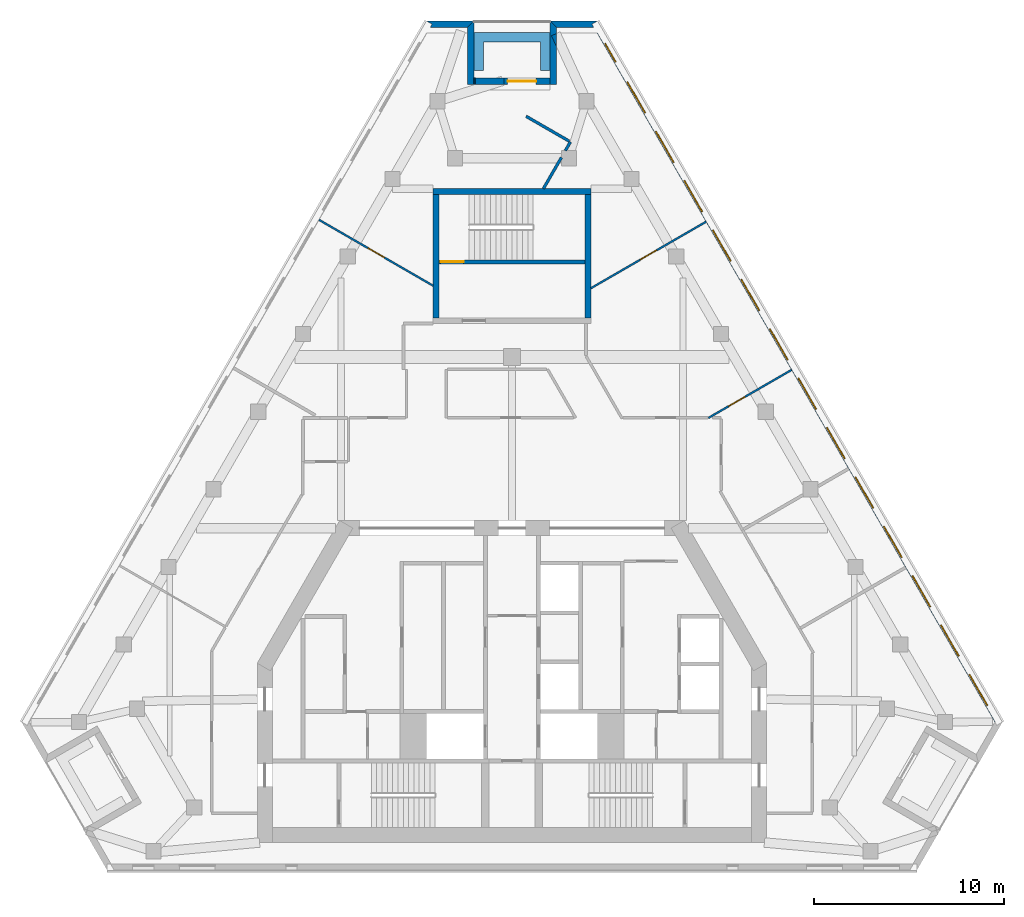
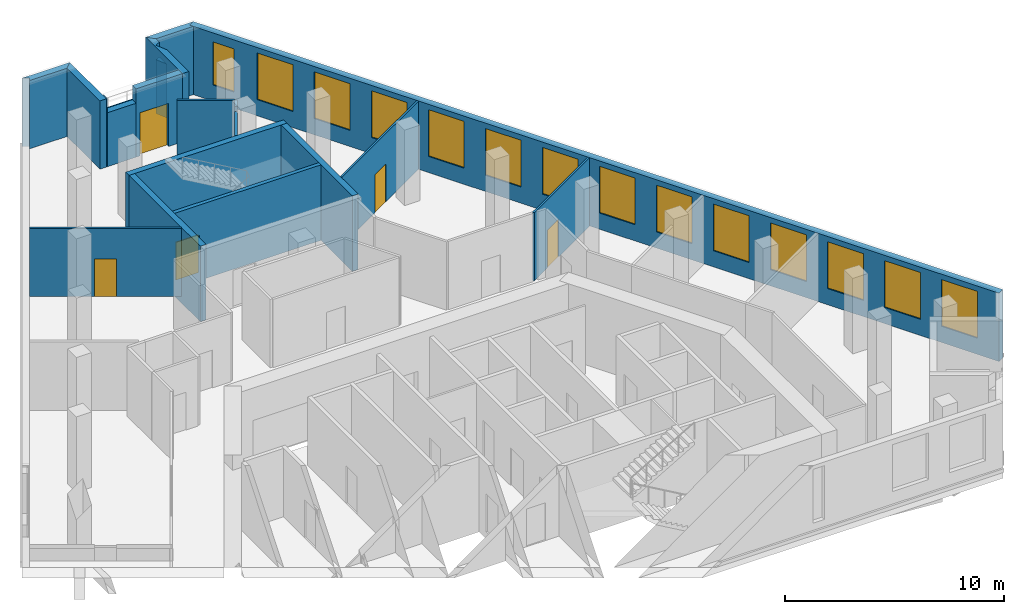
# One storey, part 6 of 8: 20 walls, 14 windows, 5 doors, 19 openings.
"""IFC4 building model written with IfcOpenShell, lengths in metres."""

from ifc_helpers import new_model, si_unit, direction, frame, frame_2d, origin, place, context, subcontext, project, spatial, polyline, rectangle, outline, extrude, material, layer, layer_set, type_object, element, fill, save


model = new_model("IFC4")

# Units and contexts
model_context = context("Model", 3, precision=1e-05, world=origin(), true_north=direction((0.0, 1.0)))
body_context = subcontext(model_context, "Body", "Model", "MODEL_VIEW")
ifc_project = project(units=[si_unit("LENGTHUNIT", "METRE"), si_unit("AREAUNIT", "SQUARE_METRE"), si_unit("VOLUMEUNIT", "CUBIC_METRE"), si_unit("PLANEANGLEUNIT", "RADIAN"), si_unit("MASSUNIT", "GRAM", prefix="KILO")], contexts=[model_context])

# Site, building, storey
site_placement = place(None, origin())
site = spatial("IfcSite", under=ifc_project, at=site_placement, CompositionType="ELEMENT")
building_placement = place(site_placement, origin())
building = spatial("IfcBuilding", under=site, at=building_placement, Name="Fogline Exchange Tower", CompositionType="ELEMENT")
storey_placement = place(building_placement, frame((0.0, 0.0, 275.10009765625)))
storey = spatial("IfcBuildingStorey", under=building, at=storey_placement, Name="L62", CompositionType="ELEMENT", Elevation=275.10009765625)

# Wall, opening, door
ifc_material_1 = material(Name="Concrete C40", Category="concrete")
ifc_layer_1 = layer(ifc_material_1, 0.199951171875)
ifc_layer_set_1 = layer_set([ifc_layer_1], Name="CW20R")
wall_type_1 = type_object("IfcWallType", Name="CW20R", PredefinedType="SOLIDWALL", material=ifc_layer_set_1)
wall_1_placement = place(storey_placement, frame((-3.85009765625, 32.007080078125, -0.400146484375), z_axis=(0.0, 0.0, 1.0), x_axis=(1.0, 0.0, 0.0)))
wall_1 = element("IfcWall", 1, at=wall_1_placement, inside=storey, type_object=wall_type_1, Name="Stair enclosure wall ST3", PredefinedType="SOLIDWALL", context=body_context, shape_type="SweptSolid", body=[
    extrude(rectangle(XDim=7.7001953125, YDim=0.199951171875, at=frame_2d((3.85009765625, 0.0))), origin(), (0.0, 0.0, 1.0), 4.199951171875),
])
opening_1_placement = place(wall_1_placement, frame((0.10009765625, 0.0, 0.39990234375)))
opening_1 = element("IfcOpeningElement", 2, at=opening_1_placement, cuts=wall_1, Name="Opening T19-C023", PredefinedType="OPENING", context=body_context, shape_type="SweptSolid", body=[
    extrude(rectangle(XDim=1.199951171875, YDim=2.10009765625, at=frame_2d((0.60009765625, 1.050048828125))), frame((0.0, 0.10986328125, 0.0), z_axis=(0.0, -1.0, 0.0), x_axis=(1.0, 0.0, 0.0)), (0.0, 0.0, 1.0), 0.219970703125),
])
ifc_material_2 = material(Name="Steel and timber fire door", Category="steel")
door_type_1 = type_object("IfcDoorType", Name="D-ST1", OperationType="SINGLE_SWING_LEFT", PredefinedType="DOOR", material=ifc_material_2)
door_1_placement = place(opening_1_placement, origin())
door_1 = element("IfcDoor", 3, at=door_1_placement, inside=storey, type_object=door_type_1, Name="Stair door ST3", OperationType="SINGLE_SWING_LEFT", OverallHeight=2.10009765625, OverallWidth=1.199951171875, PredefinedType="DOOR", context=body_context, shape_type="SweptSolid", body=[
    extrude(rectangle(XDim=1.199951171875, YDim=2.10009765625, at=frame_2d((0.60009765625, 1.050048828125))), frame((0.0, 0.02490234375, 0.0), z_axis=(0.0, -1.0, 0.0), x_axis=(1.0, 0.0, 0.0)), (0.0, 0.0, 1.0), 0.050048828125),
])
fill(opening_1, door_1)

# Walls
ifc_layer_2 = layer(ifc_material_1, 0.300048828125)
ifc_layer_set_2 = layer_set([ifc_layer_2], Name="CW30")
wall_type_2 = type_object("IfcWallType", Name="CW30", PredefinedType="SOLIDWALL", material=ifc_layer_set_2)
wall_2_placement = place(storey_placement, frame((-4.14990234375, 35.70703125, -0.400146484375), z_axis=(0.0, 0.0, 1.0), x_axis=(1.0, 0.0, 0.0)))
element("IfcWall", 4, at=wall_2_placement, inside=storey, type_object=wall_type_2, Name="Stair enclosure wall ST3", PredefinedType="SOLIDWALL", context=body_context, shape_type="SweptSolid", body=[
    extrude(rectangle(XDim=8.2998046875, YDim=0.300048828125, at=frame_2d((4.14990234375, 0.0))), origin(), (0.0, 0.0, 1.0), 4.199951171875),
])
for number, where, z_axis, x_axis, name in (
    (5, (-4.0, 29.056884765625, -0.400146484375), (0.0, 0.0, 1.0), (0.0, 1.0, 0.0), "Stair enclosure wall ST3"),
    (6, (4.0, 29.056884765625, -0.400146484375), (0.0, 0.0, 1.0), (0.0, 1.0, 0.0), "Stair enclosure wall ST3"),
):
    element("IfcWall", number, at=place(storey_placement, frame(where, z_axis=z_axis, x_axis=x_axis)), inside=storey, type_object=wall_type_2, Name=name, PredefinedType="SOLIDWALL", context=body_context, shape_type="SweptSolid", body=[
        extrude(rectangle(XDim=6.5, YDim=0.300048828125, at=frame_2d((3.25, 0.0))), origin(), (0.0, 0.0, 1.0), 4.199951171875),
    ])

# Wall, openings, windows
ifc_material_3 = material(Name="Brick masonry", Category="masonry")
ifc_layer_3 = layer(ifc_material_3, 0.340087890625)
ifc_layer_set_3 = layer_set([ifc_layer_3], Name="FW1")
wall_type_3 = type_object("IfcWallType", Name="FW1", PredefinedType="SOLIDWALL", material=ifc_layer_set_3)
wall_3_placement = place(storey_placement, frame((25.649658203125, 7.709228515625, 0.0), z_axis=(0.0, 0.0, 1.0), x_axis=(-0.499998153541, 0.866026469835, 0.0)))
wall_3 = element("IfcWall", 7, at=wall_3_placement, inside=storey, type_object=wall_type_3, Name="Brick wall L62 E", PredefinedType="SOLIDWALL", context=body_context, shape_type="SweptSolid", body=[
    extrude(rectangle(XDim=42.593994140625, YDim=0.340087890625, at=frame_2d((21.296875, 0.0))), origin(), (0.0, 0.0, 1.0), 3.7998046875),
])
opening_2_placement = place(wall_3_placement, frame((1.1484375, 0.0, 0.89990234375)))
opening_2 = element("IfcOpeningElement", 8, at=opening_2_placement, cuts=wall_3, Name="Opening W3", PredefinedType="OPENING", context=body_context, shape_type="SweptSolid", body=[
    extrude(rectangle(XDim=1.885009765625, YDim=2.60009765625, at=frame_2d((0.9423828125, 1.300048828125))), frame((0.0, 0.18017578125, 0.0), z_axis=(0.0, -1.0, 0.0), x_axis=(1.0, 0.0, 0.0)), (0.0, 0.0, 1.0), 0.360107421875),
])
opening_3_placement = place(wall_3_placement, frame((4.1484375, 0.0, 0.89990234375)))
opening_3 = element("IfcOpeningElement", 9, at=opening_3_placement, cuts=wall_3, Name="Opening W3", PredefinedType="OPENING", context=body_context, shape_type="SweptSolid", body=[
    extrude(rectangle(XDim=1.885009765625, YDim=2.60009765625, at=frame_2d((0.9423828125, 1.300048828125))), frame((0.0, 0.18017578125, 0.0), z_axis=(0.0, -1.0, 0.0), x_axis=(1.0, 0.0, 0.0)), (0.0, 0.0, 1.0), 0.360107421875),
])
opening_4_placement = place(wall_3_placement, frame((7.1484375, 0.0, 0.89990234375)))
opening_4 = element("IfcOpeningElement", 10, at=opening_4_placement, cuts=wall_3, Name="Opening W3", PredefinedType="OPENING", context=body_context, shape_type="SweptSolid", body=[
    extrude(rectangle(XDim=1.885009765625, YDim=2.60009765625, at=frame_2d((0.9423828125, 1.300048828125))), frame((0.0, 0.18017578125, 0.0), z_axis=(0.0, -1.0, 0.0), x_axis=(1.0, 0.0, 0.0)), (0.0, 0.0, 1.0), 0.360107421875),
])
opening_5_placement = place(wall_3_placement, frame((10.1484375, 0.0, 0.89990234375)))
opening_5 = element("IfcOpeningElement", 11, at=opening_5_placement, cuts=wall_3, Name="Opening W3", PredefinedType="OPENING", context=body_context, shape_type="SweptSolid", body=[
    extrude(rectangle(XDim=1.885009765625, YDim=2.60009765625, at=frame_2d((0.9423828125, 1.300048828125))), frame((0.0, 0.18017578125, 0.0), z_axis=(0.0, -1.0, 0.0), x_axis=(1.0, 0.0, 0.0)), (0.0, 0.0, 1.0), 0.360107421875),
])
opening_6_placement = place(wall_3_placement, frame((13.1484375, 0.0, 0.89990234375)))
opening_6 = element("IfcOpeningElement", 12, at=opening_6_placement, cuts=wall_3, Name="Opening W3", PredefinedType="OPENING", context=body_context, shape_type="SweptSolid", body=[
    extrude(rectangle(XDim=1.885009765625, YDim=2.60009765625, at=frame_2d((0.9423828125, 1.300048828125))), frame((0.0, 0.18017578125, 0.0), z_axis=(0.0, -1.0, 0.0), x_axis=(1.0, 0.0, 0.0)), (0.0, 0.0, 1.0), 0.360107421875),
])
opening_7_placement = place(wall_3_placement, frame((16.1484375, 0.0, 0.89990234375)))
opening_7 = element("IfcOpeningElement", 13, at=opening_7_placement, cuts=wall_3, Name="Opening W3", PredefinedType="OPENING", context=body_context, shape_type="SweptSolid", body=[
    extrude(rectangle(XDim=1.885009765625, YDim=2.60009765625, at=frame_2d((0.9423828125, 1.300048828125))), frame((0.0, 0.18017578125, 0.0), z_axis=(0.0, -1.0, 0.0), x_axis=(1.0, 0.0, 0.0)), (0.0, 0.0, 1.0), 0.360107421875),
])
opening_8_placement = place(wall_3_placement, frame((19.1484375, 0.0, 0.89990234375)))
opening_8 = element("IfcOpeningElement", 14, at=opening_8_placement, cuts=wall_3, Name="Opening W3", PredefinedType="OPENING", context=body_context, shape_type="SweptSolid", body=[
    extrude(rectangle(XDim=1.885009765625, YDim=2.60009765625, at=frame_2d((0.9423828125, 1.300048828125))), frame((0.0, 0.18017578125, 0.0), z_axis=(0.0, -1.0, 0.0), x_axis=(1.0, 0.0, 0.0)), (0.0, 0.0, 1.0), 0.360107421875),
])
opening_9_placement = place(wall_3_placement, frame((22.1484375, 0.0, 0.89990234375)))
opening_9 = element("IfcOpeningElement", 15, at=opening_9_placement, cuts=wall_3, Name="Opening W3", PredefinedType="OPENING", context=body_context, shape_type="SweptSolid", body=[
    extrude(rectangle(XDim=1.885009765625, YDim=2.60009765625, at=frame_2d((0.9423828125, 1.300048828125))), frame((0.0, 0.18017578125, 0.0), z_axis=(0.0, -1.0, 0.0), x_axis=(1.0, 0.0, 0.0)), (0.0, 0.0, 1.0), 0.360107421875),
])
opening_10_placement = place(wall_3_placement, frame((25.1484375, 0.0, 0.89990234375)))
opening_10 = element("IfcOpeningElement", 16, at=opening_10_placement, cuts=wall_3, Name="Opening W3", PredefinedType="OPENING", context=body_context, shape_type="SweptSolid", body=[
    extrude(rectangle(XDim=1.885009765625, YDim=2.60009765625, at=frame_2d((0.9423828125, 1.300048828125))), frame((0.0, 0.18017578125, 0.0), z_axis=(0.0, -1.0, 0.0), x_axis=(1.0, 0.0, 0.0)), (0.0, 0.0, 1.0), 0.360107421875),
])
opening_11_placement = place(wall_3_placement, frame((28.1484375, 0.0, 0.89990234375)))
opening_11 = element("IfcOpeningElement", 17, at=opening_11_placement, cuts=wall_3, Name="Opening W3", PredefinedType="OPENING", context=body_context, shape_type="SweptSolid", body=[
    extrude(rectangle(XDim=1.885009765625, YDim=2.60009765625, at=frame_2d((0.9423828125, 1.300048828125))), frame((0.0, 0.18017578125, 0.0), z_axis=(0.0, -1.0, 0.0), x_axis=(1.0, 0.0, 0.0)), (0.0, 0.0, 1.0), 0.360107421875),
])
opening_12_placement = place(wall_3_placement, frame((31.1484375, 0.0, 0.89990234375)))
opening_12 = element("IfcOpeningElement", 18, at=opening_12_placement, cuts=wall_3, Name="Opening W3", PredefinedType="OPENING", context=body_context, shape_type="SweptSolid", body=[
    extrude(rectangle(XDim=1.885009765625, YDim=2.60009765625, at=frame_2d((0.9423828125, 1.300048828125))), frame((0.0, 0.18017578125, 0.0), z_axis=(0.0, -1.0, 0.0), x_axis=(1.0, 0.0, 0.0)), (0.0, 0.0, 1.0), 0.360107421875),
])
opening_13_placement = place(wall_3_placement, frame((34.1484375, 0.0, 0.89990234375)))
opening_13 = element("IfcOpeningElement", 19, at=opening_13_placement, cuts=wall_3, Name="Opening W3", PredefinedType="OPENING", context=body_context, shape_type="SweptSolid", body=[
    extrude(rectangle(XDim=1.885009765625, YDim=2.60009765625, at=frame_2d((0.9423828125, 1.300048828125))), frame((0.0, 0.18017578125, 0.0), z_axis=(0.0, -1.0, 0.0), x_axis=(1.0, 0.0, 0.0)), (0.0, 0.0, 1.0), 0.360107421875),
])
opening_14_placement = place(wall_3_placement, frame((37.1484375, 0.0, 0.89990234375)))
opening_14 = element("IfcOpeningElement", 20, at=opening_14_placement, cuts=wall_3, Name="Opening W3", PredefinedType="OPENING", context=body_context, shape_type="SweptSolid", body=[
    extrude(rectangle(XDim=1.885009765625, YDim=2.60009765625, at=frame_2d((0.9423828125, 1.300048828125))), frame((0.0, 0.18017578125, 0.0), z_axis=(0.0, -1.0, 0.0), x_axis=(1.0, 0.0, 0.0)), (0.0, 0.0, 1.0), 0.360107421875),
])
opening_15_placement = place(wall_3_placement, frame((40.256103515625, 0.0, 0.89990234375)))
opening_15 = element("IfcOpeningElement", 21, at=opening_15_placement, cuts=wall_3, Name="Opening W4", PredefinedType="OPENING", context=body_context, shape_type="SweptSolid", body=[
    extrude(rectangle(XDim=1.114990234375, YDim=2.39990234375, at=frame_2d((0.5576171875, 1.199951171875))), frame((0.0, 0.18017578125, 0.0), z_axis=(0.0, -1.0, 0.0), x_axis=(1.0, 0.0, 0.0)), (0.0, 0.0, 1.0), 0.360107421875),
])
ifc_material_4 = material(Name="Aluminium and glass", Category="aluminium")
window_type_1 = type_object("IfcWindowType", Name="W3", PartitioningType="SINGLE_PANEL", PredefinedType="WINDOW", material=ifc_material_4)
window_1_placement = place(opening_2_placement, origin())
window_1 = element("IfcWindow", 22, at=window_1_placement, inside=storey, type_object=window_type_1, Name="W3 W3", OverallHeight=2.60009765625, OverallWidth=1.885009765625, PartitioningType="SINGLE_PANEL", PredefinedType="WINDOW", context=body_context, shape_type="SweptSolid", body=[
    extrude(rectangle(XDim=1.885009765625, YDim=2.60009765625, at=frame_2d((0.9423828125, 1.300048828125))), frame((0.0, 0.110107421875, 0.0), z_axis=(0.0, -1.0, 0.0), x_axis=(1.0, 0.0, 0.0)), (0.0, 0.0, 1.0), 0.06005859375),
])
fill(opening_2, window_1)
window_2_placement = place(opening_3_placement, origin())
window_2 = element("IfcWindow", 23, at=window_2_placement, inside=storey, type_object=window_type_1, Name="W3 W3", OverallHeight=2.60009765625, OverallWidth=1.885009765625, PartitioningType="SINGLE_PANEL", PredefinedType="WINDOW", context=body_context, shape_type="SweptSolid", body=[
    extrude(rectangle(XDim=1.885009765625, YDim=2.60009765625, at=frame_2d((0.9423828125, 1.300048828125))), frame((0.0, 0.110107421875, 0.0), z_axis=(0.0, -1.0, 0.0), x_axis=(1.0, 0.0, 0.0)), (0.0, 0.0, 1.0), 0.06005859375),
])
fill(opening_3, window_2)
window_3_placement = place(opening_4_placement, origin())
window_3 = element("IfcWindow", 24, at=window_3_placement, inside=storey, type_object=window_type_1, Name="W3 W3", OverallHeight=2.60009765625, OverallWidth=1.885009765625, PartitioningType="SINGLE_PANEL", PredefinedType="WINDOW", context=body_context, shape_type="SweptSolid", body=[
    extrude(rectangle(XDim=1.885009765625, YDim=2.60009765625, at=frame_2d((0.9423828125, 1.300048828125))), frame((0.0, 0.110107421875, 0.0), z_axis=(0.0, -1.0, 0.0), x_axis=(1.0, 0.0, 0.0)), (0.0, 0.0, 1.0), 0.06005859375),
])
fill(opening_4, window_3)
window_4_placement = place(opening_5_placement, origin())
window_4 = element("IfcWindow", 25, at=window_4_placement, inside=storey, type_object=window_type_1, Name="W3 W3", OverallHeight=2.60009765625, OverallWidth=1.885009765625, PartitioningType="SINGLE_PANEL", PredefinedType="WINDOW", context=body_context, shape_type="SweptSolid", body=[
    extrude(rectangle(XDim=1.885009765625, YDim=2.60009765625, at=frame_2d((0.9423828125, 1.300048828125))), frame((0.0, 0.110107421875, 0.0), z_axis=(0.0, -1.0, 0.0), x_axis=(1.0, 0.0, 0.0)), (0.0, 0.0, 1.0), 0.06005859375),
])
fill(opening_5, window_4)
window_5_placement = place(opening_6_placement, origin())
window_5 = element("IfcWindow", 26, at=window_5_placement, inside=storey, type_object=window_type_1, Name="W3 W3", OverallHeight=2.60009765625, OverallWidth=1.885009765625, PartitioningType="SINGLE_PANEL", PredefinedType="WINDOW", context=body_context, shape_type="SweptSolid", body=[
    extrude(rectangle(XDim=1.885009765625, YDim=2.60009765625, at=frame_2d((0.9423828125, 1.300048828125))), frame((0.0, 0.110107421875, 0.0), z_axis=(0.0, -1.0, 0.0), x_axis=(1.0, 0.0, 0.0)), (0.0, 0.0, 1.0), 0.06005859375),
])
fill(opening_6, window_5)
window_6_placement = place(opening_7_placement, origin())
window_6 = element("IfcWindow", 27, at=window_6_placement, inside=storey, type_object=window_type_1, Name="W3 W3", OverallHeight=2.60009765625, OverallWidth=1.885009765625, PartitioningType="SINGLE_PANEL", PredefinedType="WINDOW", context=body_context, shape_type="SweptSolid", body=[
    extrude(rectangle(XDim=1.885009765625, YDim=2.60009765625, at=frame_2d((0.9423828125, 1.300048828125))), frame((0.0, 0.110107421875, 0.0), z_axis=(0.0, -1.0, 0.0), x_axis=(1.0, 0.0, 0.0)), (0.0, 0.0, 1.0), 0.06005859375),
])
fill(opening_7, window_6)
window_7_placement = place(opening_8_placement, origin())
window_7 = element("IfcWindow", 28, at=window_7_placement, inside=storey, type_object=window_type_1, Name="W3 W3", OverallHeight=2.60009765625, OverallWidth=1.885009765625, PartitioningType="SINGLE_PANEL", PredefinedType="WINDOW", context=body_context, shape_type="SweptSolid", body=[
    extrude(rectangle(XDim=1.885009765625, YDim=2.60009765625, at=frame_2d((0.9423828125, 1.300048828125))), frame((0.0, 0.110107421875, 0.0), z_axis=(0.0, -1.0, 0.0), x_axis=(1.0, 0.0, 0.0)), (0.0, 0.0, 1.0), 0.06005859375),
])
fill(opening_8, window_7)
window_8_placement = place(opening_9_placement, origin())
window_8 = element("IfcWindow", 29, at=window_8_placement, inside=storey, type_object=window_type_1, Name="W3 W3", OverallHeight=2.60009765625, OverallWidth=1.885009765625, PartitioningType="SINGLE_PANEL", PredefinedType="WINDOW", context=body_context, shape_type="SweptSolid", body=[
    extrude(rectangle(XDim=1.885009765625, YDim=2.60009765625, at=frame_2d((0.9423828125, 1.300048828125))), frame((0.0, 0.110107421875, 0.0), z_axis=(0.0, -1.0, 0.0), x_axis=(1.0, 0.0, 0.0)), (0.0, 0.0, 1.0), 0.06005859375),
])
fill(opening_9, window_8)
window_9_placement = place(opening_10_placement, origin())
window_9 = element("IfcWindow", 30, at=window_9_placement, inside=storey, type_object=window_type_1, Name="W3 W3", OverallHeight=2.60009765625, OverallWidth=1.885009765625, PartitioningType="SINGLE_PANEL", PredefinedType="WINDOW", context=body_context, shape_type="SweptSolid", body=[
    extrude(rectangle(XDim=1.885009765625, YDim=2.60009765625, at=frame_2d((0.9423828125, 1.300048828125))), frame((0.0, 0.110107421875, 0.0), z_axis=(0.0, -1.0, 0.0), x_axis=(1.0, 0.0, 0.0)), (0.0, 0.0, 1.0), 0.06005859375),
])
fill(opening_10, window_9)
window_10_placement = place(opening_11_placement, origin())
window_10 = element("IfcWindow", 31, at=window_10_placement, inside=storey, type_object=window_type_1, Name="W3 W3", OverallHeight=2.60009765625, OverallWidth=1.885009765625, PartitioningType="SINGLE_PANEL", PredefinedType="WINDOW", context=body_context, shape_type="SweptSolid", body=[
    extrude(rectangle(XDim=1.885009765625, YDim=2.60009765625, at=frame_2d((0.9423828125, 1.300048828125))), frame((0.0, 0.110107421875, 0.0), z_axis=(0.0, -1.0, 0.0), x_axis=(1.0, 0.0, 0.0)), (0.0, 0.0, 1.0), 0.06005859375),
])
fill(opening_11, window_10)
window_11_placement = place(opening_12_placement, origin())
window_11 = element("IfcWindow", 32, at=window_11_placement, inside=storey, type_object=window_type_1, Name="W3 W3", OverallHeight=2.60009765625, OverallWidth=1.885009765625, PartitioningType="SINGLE_PANEL", PredefinedType="WINDOW", context=body_context, shape_type="SweptSolid", body=[
    extrude(rectangle(XDim=1.885009765625, YDim=2.60009765625, at=frame_2d((0.9423828125, 1.300048828125))), frame((0.0, 0.110107421875, 0.0), z_axis=(0.0, -1.0, 0.0), x_axis=(1.0, 0.0, 0.0)), (0.0, 0.0, 1.0), 0.06005859375),
])
fill(opening_12, window_11)
window_12_placement = place(opening_13_placement, origin())
window_12 = element("IfcWindow", 33, at=window_12_placement, inside=storey, type_object=window_type_1, Name="W3 W3", OverallHeight=2.60009765625, OverallWidth=1.885009765625, PartitioningType="SINGLE_PANEL", PredefinedType="WINDOW", context=body_context, shape_type="SweptSolid", body=[
    extrude(rectangle(XDim=1.885009765625, YDim=2.60009765625, at=frame_2d((0.9423828125, 1.300048828125))), frame((0.0, 0.110107421875, 0.0), z_axis=(0.0, -1.0, 0.0), x_axis=(1.0, 0.0, 0.0)), (0.0, 0.0, 1.0), 0.06005859375),
])
fill(opening_13, window_12)
window_13_placement = place(opening_14_placement, origin())
window_13 = element("IfcWindow", 34, at=window_13_placement, inside=storey, type_object=window_type_1, Name="W3 W3", OverallHeight=2.60009765625, OverallWidth=1.885009765625, PartitioningType="SINGLE_PANEL", PredefinedType="WINDOW", context=body_context, shape_type="SweptSolid", body=[
    extrude(rectangle(XDim=1.885009765625, YDim=2.60009765625, at=frame_2d((0.9423828125, 1.300048828125))), frame((0.0, 0.110107421875, 0.0), z_axis=(0.0, -1.0, 0.0), x_axis=(1.0, 0.0, 0.0)), (0.0, 0.0, 1.0), 0.06005859375),
])
fill(opening_14, window_13)
window_type_2 = type_object("IfcWindowType", Name="W4", PartitioningType="SINGLE_PANEL", PredefinedType="WINDOW", material=ifc_material_4)
window_14_placement = place(opening_15_placement, origin())
window_14 = element("IfcWindow", 35, at=window_14_placement, inside=storey, type_object=window_type_2, Name="W4 W4", OverallHeight=2.39990234375, OverallWidth=1.114990234375, PartitioningType="SINGLE_PANEL", PredefinedType="WINDOW", context=body_context, shape_type="SweptSolid", body=[
    extrude(rectangle(XDim=1.114990234375, YDim=2.39990234375, at=frame_2d((0.5576171875, 1.199951171875))), frame((0.0, 0.110107421875, 0.0), z_axis=(0.0, -1.0, 0.0), x_axis=(1.0, 0.0, 0.0)), (0.0, 0.0, 1.0), 0.06005859375),
])
fill(opening_15, window_14)

# Walls
wall_4_placement = place(storey_placement, origin())
element("IfcWall", 36, at=wall_4_placement, inside=storey, type_object=wall_type_3, Name="Brick wall L62 N-c1", PredefinedType="SOLIDWALL", context=body_context, shape_type="SweptSolid", body=[
    extrude(outline(polyline([(1.9990234375, 44.68212890625), (4.5009765625, 44.68212890625), (4.501220703125, 44.681640625), (4.206298828125, 44.511474609375), (4.3046875, 44.341064453125), (2.33984375, 44.341064453125), (1.998779296875, 44.681884765625), (1.9990234375, 44.68212890625)])), origin(), (0.0, 0.0, 1.0), 3.7998046875),
])
wall_5_placement = place(storey_placement, origin())
element("IfcWall", 37, at=wall_5_placement, inside=storey, type_object=wall_type_3, Name="Brick wall L62 N-s1", PredefinedType="SOLIDWALL", context=body_context, shape_type="SweptSolid", body=[
    extrude(outline(polyline([(2.340576171875, 43.32666015625), (2.078369140625, 43.902099609375), (2.340576171875, 44.021484375), (2.340576171875, 43.32666015625)])), origin(), (0.0, 0.0, 1.0), 3.0),
])
wall_6_placement = place(storey_placement, origin())
element("IfcWall", 38, at=wall_6_placement, inside=storey, type_object=wall_type_3, Name="Brick wall L62 N-s1", PredefinedType="SOLIDWALL", context=body_context, shape_type="SweptSolid", body=[
    extrude(outline(polyline([(1.99951171875, 41.341064453125), (1.99951171875, 44.6826171875), (1.999755859375, 44.682861328125), (2.340576171875, 44.341796875), (2.340576171875, 44.021484375), (2.078369140625, 43.902099609375), (2.340576171875, 43.32666015625), (2.340576171875, 41.341064453125), (1.99951171875, 41.341064453125)])), origin(), (0.0, 0.0, 1.0), 3.7998046875),
])

# Wall, opening, door
wall_7_placement = place(storey_placement, frame((2.0, 41.51171875, 0.0), z_axis=(0.0, 0.0, 1.0), x_axis=(-1.0, 0.0, 0.0)))
wall_7 = element("IfcWall", 39, at=wall_7_placement, inside=storey, type_object=wall_type_3, Name="Brick wall L62 N-bk", PredefinedType="SOLIDWALL", context=body_context, shape_type="SweptSolid", body=[
    extrude(rectangle(XDim=2.4296875, YDim=0.340087890625, at=frame_2d((1.21484375, 0.0))), origin(), (0.0, 0.0, 1.0), 3.7998046875),
])
opening_16_placement = place(wall_7_placement, frame((0.729736328125, 0.0, 0.0)))
opening_16 = element("IfcOpeningElement", 40, at=opening_16_placement, cuts=wall_7, Name="Opening T19-E141", PredefinedType="OPENING", context=body_context, shape_type="SweptSolid", body=[
    extrude(rectangle(XDim=1.5, YDim=2.39990234375, at=frame_2d((0.75, 1.199951171875))), frame((0.0, 0.18017578125, 0.0), z_axis=(0.0, -1.0, 0.0), x_axis=(1.0, 0.0, 0.0)), (0.0, 0.0, 1.0), 0.360107421875),
])
door_type_2 = type_object("IfcDoorType", Name="ED4", OperationType="SINGLE_SWING_LEFT", PredefinedType="DOOR", material=ifc_material_4)
door_2_placement = place(opening_16_placement, frame((1.5, 0.0, 0.0), z_axis=(0.0, 0.0, 1.0), x_axis=(-1.0, 0.0, 0.0)))
door_2 = element("IfcDoor", 41, at=door_2_placement, inside=storey, type_object=door_type_2, Name="Balcony door L62 N", OperationType="DOUBLE_DOOR_SINGLE_SWING", OverallHeight=2.39990234375, OverallWidth=1.5, PredefinedType="DOOR", context=body_context, shape_type="SweptSolid", body=[
    extrude(rectangle(XDim=1.5, YDim=2.39990234375, at=frame_2d((0.75, 1.199951171875))), frame((0.0, 0.02490234375, 0.0), z_axis=(0.0, -1.0, 0.0), x_axis=(1.0, 0.0, 0.0)), (0.0, 0.0, 1.0), 0.050048828125),
])
fill(opening_16, door_2)

# Walls
wall_8_placement = place(storey_placement, frame((-0.4296875, 41.51171875, 0.0), z_axis=(0.0, 0.0, 1.0), x_axis=(-1.0, 0.0, 0.0)))
element("IfcWall", 42, at=wall_8_placement, inside=storey, type_object=wall_type_3, Name="Brick wall L62 N-bk", PredefinedType="SOLIDWALL", context=body_context, shape_type="SweptSolid", body=[
    extrude(rectangle(XDim=1.504150390625, YDim=0.340087890625, at=frame_2d((0.751953125, 0.0))), origin(), (0.0, 0.0, 1.0), 3.0),
])
wall_9_placement = place(storey_placement, frame((-1.933837890625, 41.51171875, 0.0), z_axis=(0.0, 0.0, 1.0), x_axis=(-1.0, 0.0, 0.0)))
element("IfcWall", 43, at=wall_9_placement, inside=storey, type_object=wall_type_3, Name="Brick wall L62 N-bk", PredefinedType="SOLIDWALL", context=body_context, shape_type="SweptSolid", body=[
    extrude(rectangle(XDim=0.066162109375, YDim=0.340087890625, at=frame_2d((0.033203125, 0.0))), origin(), (0.0, 0.0, 1.0), 3.7998046875),
])
wall_10_placement = place(storey_placement, origin())
element("IfcWall", 44, at=wall_10_placement, inside=storey, type_object=wall_type_3, Name="Brick wall L62 N-s2", PredefinedType="SOLIDWALL", context=body_context, shape_type="SweptSolid", body=[
    extrude(outline(polyline([(-1.99951171875, 44.6826171875), (-1.99951171875, 41.341064453125), (-2.340576171875, 41.341064453125), (-2.340576171875, 44.341796875), (-1.999755859375, 44.682861328125), (-1.99951171875, 44.6826171875)])), origin(), (0.0, 0.0, 1.0), 3.7998046875),
])
wall_11_placement = place(storey_placement, origin())
element("IfcWall", 45, at=wall_11_placement, inside=storey, type_object=wall_type_3, Name="Brick wall L62 N-c2", PredefinedType="SOLIDWALL", context=body_context, shape_type="SweptSolid", body=[
    extrude(outline(polyline([(-4.3046875, 44.341064453125), (-4.206298828125, 44.511474609375), (-4.501220703125, 44.681640625), (-4.5009765625, 44.68212890625), (-1.9990234375, 44.68212890625), (-1.998779296875, 44.681884765625), (-2.33984375, 44.341064453125), (-4.3046875, 44.341064453125)])), origin(), (0.0, 0.0, 1.0), 3.7998046875),
])
ifc_material_5 = material(Name="Concrete C30", Category="concrete")
ifc_layer_4 = layer(ifc_material_5, 0.199951171875)
ifc_layer_set_4 = layer_set([ifc_layer_4], Name="PL1")
wall_type_4 = type_object("IfcWallType", Name="PL1", PredefinedType="USERDEFINED", material=ifc_layer_set_4)
wall_12_placement = place(storey_placement, origin())
element("IfcWall", 46, at=wall_12_placement, inside=storey, type_object=wall_type_4, Name="PLANTER balcony L62 N", ObjectType="PLANTER", PredefinedType="USERDEFINED", context=body_context, shape_type="SweptSolid", body=[
    extrude(outline(polyline([(-1.5, 44.081787109375), (-2.0, 44.081787109375), (-2.0, 43.581787109375), (-2.0, 42.081787109375), (-1.5, 42.081787109375), (-1.5, 43.581787109375), (1.5, 43.581787109375), (1.5, 42.081787109375), (2.0, 42.081787109375), (2.0, 43.581787109375), (2.0, 44.081787109375), (1.5, 44.081787109375), (-1.5, 44.081787109375)])), origin(), (0.0, 0.0, 1.0), 1.099853515625),
])

# Wall, opening, door
ifc_material_6 = material(Name="Plasterboard partition, 2 layers each side on steel studs", Category="steel")
ifc_layer_5 = layer(ifc_material_6, 0.10009765625)
ifc_layer_set_5 = layer_set([ifc_layer_5], Name="PW1")
wall_type_5 = type_object("IfcWallType", Name="PW1", PredefinedType="PARTITIONING", material=ifc_layer_set_5)
wall_13_placement = place(storey_placement, frame((10.337890625, 23.800048828125, 0.0), z_axis=(0.0, 0.0, 1.0), x_axis=(0.866030860659, 0.499990548297, 0.0)))
wall_13 = element("IfcWall", 47, at=wall_13_placement, inside=storey, type_object=wall_type_5, Name="wall-L62-W026", PredefinedType="PARTITIONING", context=body_context, shape_type="SweptSolid", body=[
    extrude(rectangle(XDim=5.044921875, YDim=0.10009765625, at=frame_2d((2.5224609375, 0.0))), origin(), (0.0, 0.0, 1.0), 3.7998046875),
])
opening_17_placement = place(wall_13_placement, frame((1.216796875, 0.0, 0.0)))
opening_17 = element("IfcOpeningElement", 48, at=opening_17_placement, cuts=wall_13, Name="Opening T19-D010", PredefinedType="OPENING", context=body_context, shape_type="SweptSolid", body=[
    extrude(rectangle(XDim=1.0, YDim=2.10009765625, at=frame_2d((0.5, 1.050048828125))), frame((0.0, 0.06005859375, 0.0), z_axis=(0.0, -1.0, 0.0), x_axis=(1.0, 0.0, 0.0)), (0.0, 0.0, 1.0), 0.1201171875),
])
ifc_material_7 = material(Name="Timber door leaf with steel frame", Category="steel")
door_type_3 = type_object("IfcDoorType", Name="D1", OperationType="SINGLE_SWING_LEFT", PredefinedType="DOOR", material=ifc_material_7)
door_3_placement = place(opening_17_placement, frame((1.0, 0.0, 0.0), z_axis=(0.0, 0.0, 1.0), x_axis=(-1.0, 0.0, 0.0)))
door_3 = element("IfcDoor", 49, at=door_3_placement, inside=storey, type_object=door_type_3, Name="door-L62-D010", OperationType="SINGLE_SWING_RIGHT", OverallHeight=2.10009765625, OverallWidth=1.0, PredefinedType="DOOR", context=body_context, shape_type="SweptSolid", body=[
    extrude(rectangle(XDim=1.0, YDim=2.10009765625, at=frame_2d((0.5, 1.050048828125))), frame((0.0, 0.02490234375, 0.0), z_axis=(0.0, -1.0, 0.0), x_axis=(1.0, 0.0, 0.0)), (0.0, 0.0, 1.0), 0.050048828125),
])
fill(opening_17, door_3)

wall_14_placement = place(storey_placement, frame((4.14990234375, 30.619873046875, 0.0), z_axis=(0.0, 0.0, 1.0), x_axis=(0.866041428101, 0.499972244042, 0.0)))
wall_14 = element("IfcWall", 50, at=wall_14_placement, inside=storey, type_object=wall_type_5, Name="wall-L62-W029", PredefinedType="PARTITIONING", context=body_context, shape_type="SweptSolid", body=[
    extrude(rectangle(XDim=6.994140625, YDim=0.10009765625, at=frame_2d((3.4970703125, 0.0))), origin(), (0.0, 0.0, 1.0), 3.7998046875),
])
opening_18_placement = place(wall_14_placement, frame((2.9970703125, 0.0, 0.0)))
opening_18 = element("IfcOpeningElement", 51, at=opening_18_placement, cuts=wall_14, Name="Opening T19-D011", PredefinedType="OPENING", context=body_context, shape_type="SweptSolid", body=[
    extrude(rectangle(XDim=1.0, YDim=2.10009765625, at=frame_2d((0.5, 1.050048828125))), frame((0.0, 0.06005859375, 0.0), z_axis=(0.0, -1.0, 0.0), x_axis=(1.0, 0.0, 0.0)), (0.0, 0.0, 1.0), 0.1201171875),
])
door_4_placement = place(opening_18_placement, origin())
door_4 = element("IfcDoor", 52, at=door_4_placement, inside=storey, type_object=door_type_3, Name="door-L62-D011", OperationType="SINGLE_SWING_LEFT", OverallHeight=2.10009765625, OverallWidth=1.0, PredefinedType="DOOR", context=body_context, shape_type="SweptSolid", body=[
    extrude(rectangle(XDim=1.0, YDim=2.10009765625, at=frame_2d((0.5, 1.050048828125))), frame((0.0, 0.02490234375, 0.0), z_axis=(0.0, -1.0, 0.0), x_axis=(1.0, 0.0, 0.0)), (0.0, 0.0, 1.0), 0.050048828125),
])
fill(opening_18, door_4)

wall_15_placement = place(storey_placement, frame((-4.14990234375, 30.752685546875, 0.0), z_axis=(0.0, 0.0, 1.0), x_axis=(-0.866037695882, 0.499978708858, 0.0)))
wall_15 = element("IfcWall", 53, at=wall_15_placement, inside=storey, type_object=wall_type_5, Name="wall-L62-W033", PredefinedType="PARTITIONING", context=body_context, shape_type="SweptSolid", body=[
    extrude(rectangle(XDim=6.927490234375, YDim=0.10009765625, at=frame_2d((3.4638671875, 0.0))), origin(), (0.0, 0.0, 1.0), 3.7998046875),
])
opening_19_placement = place(wall_15_placement, frame((2.9638671875, 0.0, 0.0)))
opening_19 = element("IfcOpeningElement", 54, at=opening_19_placement, cuts=wall_15, Name="Opening T19-D012", PredefinedType="OPENING", context=body_context, shape_type="SweptSolid", body=[
    extrude(rectangle(XDim=1.0, YDim=2.10009765625, at=frame_2d((0.5, 1.050048828125))), frame((0.0, 0.06005859375, 0.0), z_axis=(0.0, -1.0, 0.0), x_axis=(1.0, 0.0, 0.0)), (0.0, 0.0, 1.0), 0.1201171875),
])
door_5_placement = place(opening_19_placement, origin())
door_5 = element("IfcDoor", 55, at=door_5_placement, inside=storey, type_object=door_type_3, Name="door-L62-D012", OperationType="SINGLE_SWING_LEFT", OverallHeight=2.10009765625, OverallWidth=1.0, PredefinedType="DOOR", context=body_context, shape_type="SweptSolid", body=[
    extrude(rectangle(XDim=1.0, YDim=2.10009765625, at=frame_2d((0.5, 1.050048828125))), frame((0.0, 0.02490234375, 0.0), z_axis=(0.0, -1.0, 0.0), x_axis=(1.0, 0.0, 0.0)), (0.0, 0.0, 1.0), 0.050048828125),
])
fill(opening_19, door_5)

# Walls
ifc_material_8 = material(Name="Plasterboard demising partition with mineral wool and acoustic board")
ifc_layer_6 = layer(ifc_material_8, 0.14990234375)
ifc_layer_set_6 = layer_set([ifc_layer_6], Name="PW3")
wall_type_6 = type_object("IfcWallType", Name="PW3", PredefinedType="PARTITIONING", material=ifc_layer_set_6)
wall_16_placement = place(storey_placement, frame((1.65185546875, 35.85693359375, 0.0), z_axis=(0.0, 0.0, 1.0), x_axis=(0.500015905979, 0.866016220268, 0.0)))
element("IfcWall", 56, at=wall_16_placement, inside=storey, type_object=wall_type_6, Name="wall-L62-W030", PredefinedType="PARTITIONING", context=body_context, shape_type="SweptSolid", body=[
    extrude(rectangle(XDim=1.896484375, YDim=0.14990234375, at=frame_2d((0.9482421875, 0.0))), origin(), (0.0, 0.0, 1.0), 3.7998046875),
])
wall_17_placement = place(storey_placement, frame((2.806396484375, 37.856689453125, 0.0), z_axis=(0.0, 0.0, 1.0), x_axis=(0.500117793536, 0.865957384972, 0.0)))
element("IfcWall", 57, at=wall_17_placement, inside=storey, type_object=wall_type_6, Name="wall-L62-W031", PredefinedType="PARTITIONING", context=body_context, shape_type="SweptSolid", body=[
    extrude(rectangle(XDim=0.534423828125, YDim=0.14990234375, at=frame_2d((0.26708984375, 0.0))), origin(), (0.0, 0.0, 1.0), 3.7998046875),
])
wall_18_placement = place(storey_placement, frame((3.0087890625, 38.357177734375, 0.0), z_axis=(0.0, 0.0, 1.0), x_axis=(-0.866008611403, 0.50002908413, 0.0)))
element("IfcWall", 58, at=wall_18_placement, inside=storey, type_object=wall_type_6, Name="wall-L62-W032", PredefinedType="PARTITIONING", context=body_context, shape_type="SweptSolid", body=[
    extrude(rectangle(XDim=2.618896484375, YDim=0.14990234375, at=frame_2d((1.3095703125, 0.0))), origin(), (0.0, 0.0, 1.0), 3.7998046875),
])

save(model, "model.ifc")
